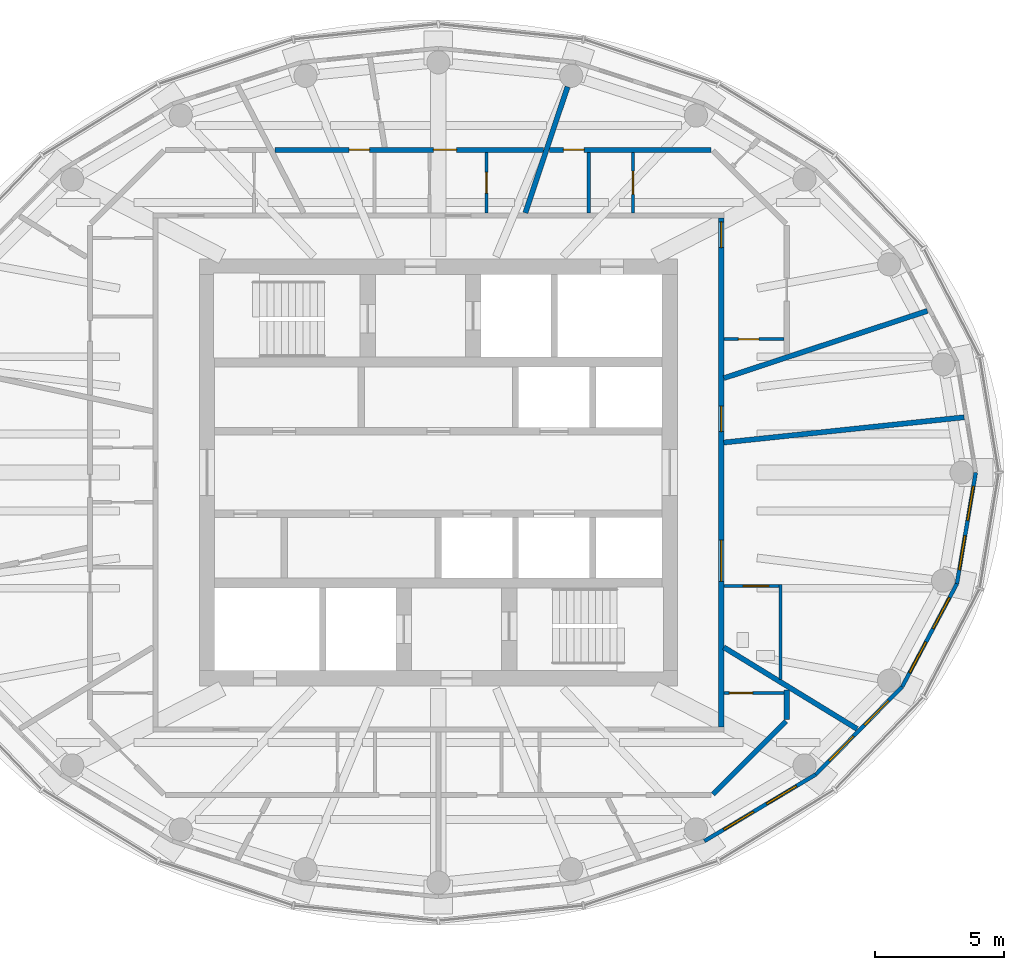
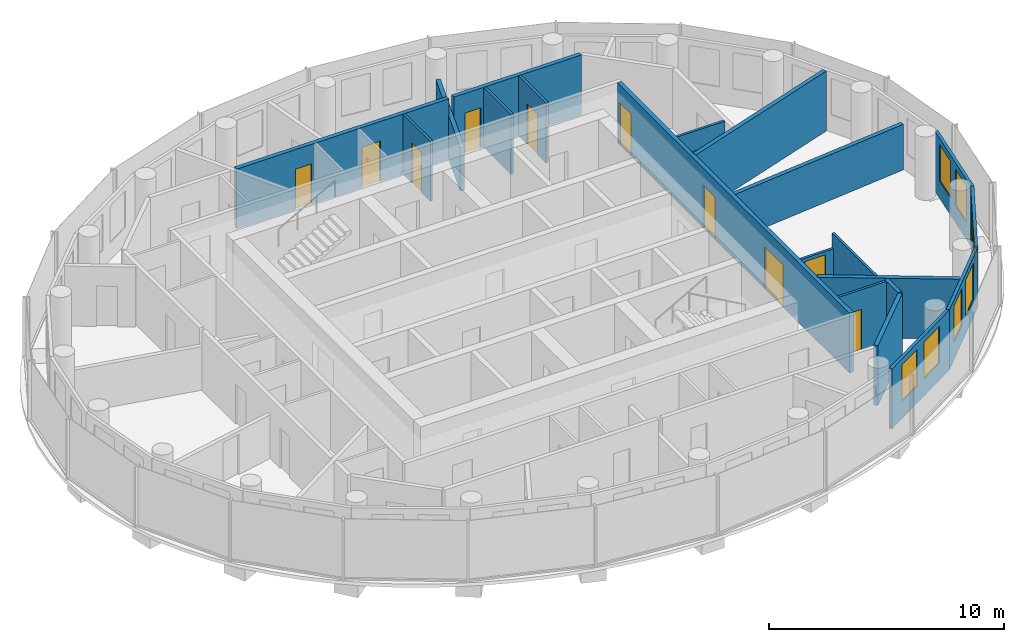
# One storey, part 8 of 11: 20 walls, 11 doors, 8 windows, 19 openings.
"""IFC4 building model written with IfcOpenShell, lengths in metres."""

from ifc_helpers import new_model, si_unit, direction, frame, frame_2d, origin, place, context, subcontext, project, spatial, rectangle, extrude, material, layer, layer_set, type_object, element, fill, save


model = new_model("IFC4")

# Units and contexts
model_context = context("Model", 3, precision=1e-05, world=origin(), true_north=direction((0.0, 1.0)))
body_context = subcontext(model_context, "Body", "Model", "MODEL_VIEW")
ifc_project = project(units=[si_unit("LENGTHUNIT", "METRE"), si_unit("AREAUNIT", "SQUARE_METRE"), si_unit("VOLUMEUNIT", "CUBIC_METRE"), si_unit("PLANEANGLEUNIT", "RADIAN"), si_unit("MASSUNIT", "GRAM", prefix="KILO")], contexts=[model_context])

# Site, building, storey
site_placement = place(None, origin())
site = spatial("IfcSite", under=ifc_project, at=site_placement, CompositionType="ELEMENT")
building_placement = place(site_placement, origin())
building = spatial("IfcBuilding", under=site, at=building_placement, Name="Hankou Lantern Tower", CompositionType="ELEMENT")
storey_placement = place(building_placement, frame((0.0, 0.0, 192.89990234375)))
storey = spatial("IfcBuildingStorey", under=building, at=storey_placement, Name="L51", CompositionType="ELEMENT", Elevation=192.89990234375)

# Wall, openings, windows
ifc_material_1 = material(Name="Aluminium spandrel panel on steel studs", Category="steel")
ifc_layer_1 = layer(ifc_material_1, 0.14990234375)
ifc_layer_set_1 = layer_set([ifc_layer_1], Name="Aluminium spandrel panel on steel studs")
wall_type_1 = type_object("IfcWallType", Name="EW1 INNER SKIN WALL 150", PredefinedType="ELEMENTEDWALL", material=ifc_layer_set_1)
wall_1_placement = place(storey_placement, frame((10.346435546875, -14.33642578125, 0.0), z_axis=(0.0, 0.0, 1.0), x_axis=(0.85822150553, 0.513279502265, 0.0)))
wall_1 = element("IfcWall", 1, at=wall_1_placement, inside=storey, type_object=wall_type_1, Name="Inner skin R21-R22 L51", PredefinedType="ELEMENTEDWALL", context=body_context, shape_type="SweptSolid", body=[
    extrude(rectangle(XDim=5.050048828125, YDim=0.14990234375, at=frame_2d((2.52490234375, 0.0))), origin(), (0.0, 0.0, 1.0), 3.1201171875),
])
opening_1_placement = place(wall_1_placement, frame((0.875, 0.0, 0.89990234375)))
opening_1 = element("IfcOpeningElement", 2, at=opening_1_placement, cuts=wall_1, Name="Opening W4", PredefinedType="OPENING", context=body_context, shape_type="SweptSolid", body=[
    extrude(rectangle(XDim=1.35009765625, YDim=1.89990234375, at=frame_2d((0.675048828125, 0.949951171875))), frame((0.0, 0.0849609375, 0.0), z_axis=(0.0, -1.0, 0.0), x_axis=(1.0, 0.0, 0.0)), (0.0, 0.0, 1.0), 0.169921875),
])
opening_2_placement = place(wall_1_placement, frame((2.824951171875, 0.0, 0.89990234375)))
opening_2 = element("IfcOpeningElement", 3, at=opening_2_placement, cuts=wall_1, Name="Opening W4", PredefinedType="OPENING", context=body_context, shape_type="SweptSolid", body=[
    extrude(rectangle(XDim=1.35009765625, YDim=1.89990234375, at=frame_2d((0.675048828125, 0.949951171875))), frame((0.0, 0.0849609375, 0.0), z_axis=(0.0, -1.0, 0.0), x_axis=(1.0, 0.0, 0.0)), (0.0, 0.0, 1.0), 0.169921875),
])
ifc_material_2 = material(Name="Aluminium framed double glazed window", Category="aluminium")
window_type = type_object("IfcWindowType", Name="W4 SUITE WINDOW 1350X1900", PartitioningType="DOUBLE_PANEL_VERTICAL", PredefinedType="WINDOW", material=ifc_material_2)
window_1_placement = place(opening_1_placement, origin())
window_1 = element("IfcWindow", 4, at=window_1_placement, inside=storey, type_object=window_type, Name="Window R21.1 L51", OverallHeight=1.89990234375, OverallWidth=1.35009765625, PartitioningType="SINGLE_PANEL", PredefinedType="WINDOW", context=body_context, shape_type="SweptSolid", body=[
    extrude(rectangle(XDim=1.35009765625, YDim=1.89990234375, at=frame_2d((0.675048828125, 0.949951171875))), frame((0.0, 0.030029296875, 0.0), z_axis=(0.0, -1.0, 0.0), x_axis=(1.0, 0.0, 0.0)), (0.0, 0.0, 1.0), 0.06005859375),
])
fill(opening_1, window_1)
window_2_placement = place(opening_2_placement, origin())
window_2 = element("IfcWindow", 5, at=window_2_placement, inside=storey, type_object=window_type, Name="Window R21.2 L51", OverallHeight=1.89990234375, OverallWidth=1.35009765625, PartitioningType="SINGLE_PANEL", PredefinedType="WINDOW", context=body_context, shape_type="SweptSolid", body=[
    extrude(rectangle(XDim=1.35009765625, YDim=1.89990234375, at=frame_2d((0.675048828125, 0.949951171875))), frame((0.0, 0.030029296875, 0.0), z_axis=(0.0, -1.0, 0.0), x_axis=(1.0, 0.0, 0.0)), (0.0, 0.0, 1.0), 0.06005859375),
])
fill(opening_2, window_2)

wall_2_placement = place(storey_placement, frame((14.680419921875, -11.744384765625, 0.0), z_axis=(0.0, 0.0, 1.0), x_axis=(0.701527379618, 0.712642501993, 0.0)))
wall_2 = element("IfcWall", 6, at=wall_2_placement, inside=storey, type_object=wall_type_1, Name="Inner skin R22-R23 L51", PredefinedType="ELEMENTEDWALL", context=body_context, shape_type="SweptSolid", body=[
    extrude(rectangle(XDim=4.788330078125, YDim=0.14990234375, at=frame_2d((2.39404296875, 0.0))), origin(), (0.0, 0.0, 1.0), 3.1201171875),
])
opening_3_placement = place(wall_2_placement, frame((0.744140625, 0.0, 0.89990234375)))
opening_3 = element("IfcOpeningElement", 7, at=opening_3_placement, cuts=wall_2, Name="Opening W4", PredefinedType="OPENING", context=body_context, shape_type="SweptSolid", body=[
    extrude(rectangle(XDim=1.35009765625, YDim=1.89990234375, at=frame_2d((0.675048828125, 0.949951171875))), frame((0.0, 0.0849609375, 0.0), z_axis=(0.0, -1.0, 0.0), x_axis=(1.0, 0.0, 0.0)), (0.0, 0.0, 1.0), 0.169921875),
])
opening_4_placement = place(wall_2_placement, frame((2.694091796875, 0.0, 0.89990234375)))
opening_4 = element("IfcOpeningElement", 8, at=opening_4_placement, cuts=wall_2, Name="Opening W4", PredefinedType="OPENING", context=body_context, shape_type="SweptSolid", body=[
    extrude(rectangle(XDim=1.35009765625, YDim=1.89990234375, at=frame_2d((0.675048828125, 0.949951171875))), frame((0.0, 0.0849609375, 0.0), z_axis=(0.0, -1.0, 0.0), x_axis=(1.0, 0.0, 0.0)), (0.0, 0.0, 1.0), 0.169921875),
])
window_3_placement = place(opening_3_placement, origin())
window_3 = element("IfcWindow", 9, at=window_3_placement, inside=storey, type_object=window_type, Name="Window R22.1 L51", OverallHeight=1.89990234375, OverallWidth=1.35009765625, PartitioningType="SINGLE_PANEL", PredefinedType="WINDOW", context=body_context, shape_type="SweptSolid", body=[
    extrude(rectangle(XDim=1.35009765625, YDim=1.89990234375, at=frame_2d((0.675048828125, 0.949951171875))), frame((0.0, 0.030029296875, 0.0), z_axis=(0.0, -1.0, 0.0), x_axis=(1.0, 0.0, 0.0)), (0.0, 0.0, 1.0), 0.06005859375),
])
fill(opening_3, window_3)
window_4_placement = place(opening_4_placement, origin())
window_4 = element("IfcWindow", 10, at=window_4_placement, inside=storey, type_object=window_type, Name="Window R22.2 L51", OverallHeight=1.89990234375, OverallWidth=1.35009765625, PartitioningType="SINGLE_PANEL", PredefinedType="WINDOW", context=body_context, shape_type="SweptSolid", body=[
    extrude(rectangle(XDim=1.35009765625, YDim=1.89990234375, at=frame_2d((0.675048828125, 0.949951171875))), frame((0.0, 0.030029296875, 0.0), z_axis=(0.0, -1.0, 0.0), x_axis=(1.0, 0.0, 0.0)), (0.0, 0.0, 1.0), 0.06005859375),
])
fill(opening_4, window_4)

wall_3_placement = place(storey_placement, frame((18.03955078125, -8.33203125, 0.0), z_axis=(0.0, 0.0, 1.0), x_axis=(0.469256152955, 0.883062094597, 0.0)))
wall_3 = element("IfcWall", 11, at=wall_3_placement, inside=storey, type_object=wall_type_1, Name="Inner skin R23-R24 L51", PredefinedType="ELEMENTEDWALL", context=body_context, shape_type="SweptSolid", body=[
    extrude(rectangle(XDim=4.539306640625, YDim=0.14990234375, at=frame_2d((2.26953125, 0.0))), origin(), (0.0, 0.0, 1.0), 3.1201171875),
])
opening_5_placement = place(wall_3_placement, frame((0.61962890625, 0.0, 0.89990234375)))
opening_5 = element("IfcOpeningElement", 12, at=opening_5_placement, cuts=wall_3, Name="Opening W4", PredefinedType="OPENING", context=body_context, shape_type="SweptSolid", body=[
    extrude(rectangle(XDim=1.35009765625, YDim=1.89990234375, at=frame_2d((0.675048828125, 0.949951171875))), frame((0.0, 0.0849609375, 0.0), z_axis=(0.0, -1.0, 0.0), x_axis=(1.0, 0.0, 0.0)), (0.0, 0.0, 1.0), 0.169921875),
])
opening_6_placement = place(wall_3_placement, frame((2.569580078125, 0.0, 0.89990234375)))
opening_6 = element("IfcOpeningElement", 13, at=opening_6_placement, cuts=wall_3, Name="Opening W4", PredefinedType="OPENING", context=body_context, shape_type="SweptSolid", body=[
    extrude(rectangle(XDim=1.35009765625, YDim=1.89990234375, at=frame_2d((0.675048828125, 0.949951171875))), frame((0.0, 0.0849609375, 0.0), z_axis=(0.0, -1.0, 0.0), x_axis=(1.0, 0.0, 0.0)), (0.0, 0.0, 1.0), 0.169921875),
])
window_5_placement = place(opening_5_placement, origin())
window_5 = element("IfcWindow", 14, at=window_5_placement, inside=storey, type_object=window_type, Name="Window R23.1 L51", OverallHeight=1.89990234375, OverallWidth=1.35009765625, PartitioningType="SINGLE_PANEL", PredefinedType="WINDOW", context=body_context, shape_type="SweptSolid", body=[
    extrude(rectangle(XDim=1.35009765625, YDim=1.89990234375, at=frame_2d((0.675048828125, 0.949951171875))), frame((0.0, 0.030029296875, 0.0), z_axis=(0.0, -1.0, 0.0), x_axis=(1.0, 0.0, 0.0)), (0.0, 0.0, 1.0), 0.06005859375),
])
fill(opening_5, window_5)
window_6_placement = place(opening_6_placement, origin())
window_6 = element("IfcWindow", 15, at=window_6_placement, inside=storey, type_object=window_type, Name="Window R23.2 L51", OverallHeight=1.89990234375, OverallWidth=1.35009765625, PartitioningType="SINGLE_PANEL", PredefinedType="WINDOW", context=body_context, shape_type="SweptSolid", body=[
    extrude(rectangle(XDim=1.35009765625, YDim=1.89990234375, at=frame_2d((0.675048828125, 0.949951171875))), frame((0.0, 0.030029296875, 0.0), z_axis=(0.0, -1.0, 0.0), x_axis=(1.0, 0.0, 0.0)), (0.0, 0.0, 1.0), 0.06005859375),
])
fill(opening_6, window_6)

wall_4_placement = place(storey_placement, frame((20.169677734375, -4.323486328125, 0.0), z_axis=(0.0, 0.0, 1.0), x_axis=(0.166538513568, 0.986034950445, 0.0)))
wall_4 = element("IfcWall", 16, at=wall_4_placement, inside=storey, type_object=wall_type_1, Name="Inner skin R24-R01 L51", PredefinedType="ELEMENTEDWALL", context=body_context, shape_type="SweptSolid", body=[
    extrude(rectangle(XDim=4.384765625, YDim=0.14990234375, at=frame_2d((2.1923828125, 0.0))), origin(), (0.0, 0.0, 1.0), 3.1201171875),
])
opening_7_placement = place(wall_4_placement, frame((0.54248046875, 0.0, 0.89990234375)))
opening_7 = element("IfcOpeningElement", 17, at=opening_7_placement, cuts=wall_4, Name="Opening W4", PredefinedType="OPENING", context=body_context, shape_type="SweptSolid", body=[
    extrude(rectangle(XDim=1.35009765625, YDim=1.89990234375, at=frame_2d((0.675048828125, 0.949951171875))), frame((0.0, 0.0849609375, 0.0), z_axis=(0.0, -1.0, 0.0), x_axis=(1.0, 0.0, 0.0)), (0.0, 0.0, 1.0), 0.169921875),
])
opening_8_placement = place(wall_4_placement, frame((2.492431640625, 0.0, 0.89990234375)))
opening_8 = element("IfcOpeningElement", 18, at=opening_8_placement, cuts=wall_4, Name="Opening W4", PredefinedType="OPENING", context=body_context, shape_type="SweptSolid", body=[
    extrude(rectangle(XDim=1.35009765625, YDim=1.89990234375, at=frame_2d((0.675048828125, 0.949951171875))), frame((0.0, 0.0849609375, 0.0), z_axis=(0.0, -1.0, 0.0), x_axis=(1.0, 0.0, 0.0)), (0.0, 0.0, 1.0), 0.169921875),
])
window_7_placement = place(opening_7_placement, origin())
window_7 = element("IfcWindow", 19, at=window_7_placement, inside=storey, type_object=window_type, Name="Window R24.1 L51", OverallHeight=1.89990234375, OverallWidth=1.35009765625, PartitioningType="SINGLE_PANEL", PredefinedType="WINDOW", context=body_context, shape_type="SweptSolid", body=[
    extrude(rectangle(XDim=1.35009765625, YDim=1.89990234375, at=frame_2d((0.675048828125, 0.949951171875))), frame((0.0, 0.030029296875, 0.0), z_axis=(0.0, -1.0, 0.0), x_axis=(1.0, 0.0, 0.0)), (0.0, 0.0, 1.0), 0.06005859375),
])
fill(opening_7, window_7)
window_8_placement = place(opening_8_placement, origin())
window_8 = element("IfcWindow", 20, at=window_8_placement, inside=storey, type_object=window_type, Name="Window R24.2 L51", OverallHeight=1.89990234375, OverallWidth=1.35009765625, PartitioningType="SINGLE_PANEL", PredefinedType="WINDOW", context=body_context, shape_type="SweptSolid", body=[
    extrude(rectangle(XDim=1.35009765625, YDim=1.89990234375, at=frame_2d((0.675048828125, 0.949951171875))), frame((0.0, 0.030029296875, 0.0), z_axis=(0.0, -1.0, 0.0), x_axis=(1.0, 0.0, 0.0)), (0.0, 0.0, 1.0), 0.06005859375),
])
fill(opening_8, window_8)

# Wall
ifc_material_3 = material(Name="Masonry lightweight concrete block", Category="masonry")
ifc_layer_2 = layer(ifc_material_3, 0.199951171875)
ifc_layer_set_2 = layer_set([ifc_layer_2], Name="Masonry lightweight concrete block")
wall_type_2 = type_object("IfcWallType", Name="IW1 GUEST ROOM PARTY WALL 200", PredefinedType="PARTITIONING", material=ifc_layer_set_2)
wall_5_placement = place(storey_placement, frame((3.3828125, 10.10009765625, 0.0), z_axis=(0.0, 0.0, 1.0), x_axis=(0.317602151035, 0.948224063003, 0.0)))
element("IfcWall", 21, at=wall_5_placement, inside=storey, type_object=wall_type_2, Name="Party wall R06", PredefinedType="PARTITIONING", context=body_context, shape_type="SweptSolid", body=[
    extrude(rectangle(XDim=5.16796875, YDim=0.199951171875, at=frame_2d((2.583984375, 0.0))), origin(), (0.0, 0.0, 1.0), 2.27001953125),
])

# Wall, openings, doors
ifc_material_4 = material(Name="Masonry lightweight concrete block", Category="masonry")
ifc_layer_3 = layer(ifc_material_4, 0.199951171875)
ifc_layer_set_3 = layer_set([ifc_layer_3], Name="Masonry lightweight concrete block")
wall_type_3 = type_object("IfcWallType", Name="IW2 CORRIDOR WALL 200", PredefinedType="PARTITIONING", material=ifc_layer_set_3)
wall_6_placement = place(storey_placement, frame((11.0, -9.89990234375, 0.0), z_axis=(0.0, 0.0, 1.0), x_axis=(0.0, 1.0, 0.0)))
wall_6 = element("IfcWall", 22, at=wall_6_placement, inside=storey, type_object=wall_type_3, Name="Corridor wall east", PredefinedType="PARTITIONING", context=body_context, shape_type="SweptSolid", body=[
    extrude(rectangle(XDim=19.7998046875, YDim=0.199951171875, at=frame_2d((9.89990234375, 0.0))), origin(), (0.0, 0.0, 1.0), 3.1201171875),
])
opening_9_placement = place(wall_6_placement, frame((11.486083984375, 0.0, 0.0)))
opening_9 = element("IfcOpeningElement", 23, at=opening_9_placement, cuts=wall_6, Name="Opening D28", PredefinedType="OPENING", context=body_context, shape_type="SweptSolid", body=[
    extrude(rectangle(XDim=1.0, YDim=2.199951171875, at=frame_2d((0.5, 1.10009765625))), frame((0.0, 0.10986328125, 0.0), z_axis=(0.0, -1.0, 0.0), x_axis=(1.0, 0.0, 0.0)), (0.0, 0.0, 1.0), 0.219970703125),
])
opening_10_placement = place(wall_6_placement, frame((18.645263671875, 0.0, 0.0)))
opening_10 = element("IfcOpeningElement", 24, at=opening_10_placement, cuts=wall_6, Name="Opening D2", PredefinedType="OPENING", context=body_context, shape_type="SweptSolid", body=[
    extrude(rectangle(XDim=1.0, YDim=2.199951171875, at=frame_2d((0.5, 1.10009765625))), frame((0.0, 0.10986328125, 0.0), z_axis=(0.0, -1.0, 0.0), x_axis=(1.0, 0.0, 0.0)), (0.0, 0.0, 1.0), 0.219970703125),
])
opening_11_placement = place(wall_6_placement, frame((5.667724609375, 0.0, 0.0)))
opening_11 = element("IfcOpeningElement", 25, at=opening_11_placement, cuts=wall_6, Name="Opening D34", PredefinedType="OPENING", context=body_context, shape_type="SweptSolid", body=[
    extrude(rectangle(XDim=1.60009765625, YDim=2.199951171875, at=frame_2d((0.800048828125, 1.10009765625))), frame((0.0, 0.10986328125, 0.0), z_axis=(0.0, -1.0, 0.0), x_axis=(1.0, 0.0, 0.0)), (0.0, 0.0, 1.0), 0.219970703125),
])
ifc_material_5 = material(Name="Steel door leaf", Category="steel")
door_type_1 = type_object("IfcDoorType", Name="D2 SUITE DOOR 1000X2200", OperationType="SINGLE_SWING_LEFT", PredefinedType="DOOR", material=ifc_material_5)
door_1_placement = place(opening_10_placement, origin())
door_1 = element("IfcDoor", 26, at=door_1_placement, inside=storey, type_object=door_type_1, Name="Suite door 5102", OperationType="SINGLE_SWING_RIGHT", OverallHeight=2.199951171875, OverallWidth=1.0, PredefinedType="DOOR", context=body_context, shape_type="SweptSolid", body=[
    extrude(rectangle(XDim=1.0, YDim=2.199951171875, at=frame_2d((0.5, 1.10009765625))), frame((0.0, 0.02490234375, 0.0), z_axis=(0.0, -1.0, 0.0), x_axis=(1.0, 0.0, 0.0)), (0.0, 0.0, 1.0), 0.050048828125),
])
fill(opening_10, door_1)
ifc_material_6 = material(Name="Steel door leaf", Category="steel")
door_type_2 = type_object("IfcDoorType", Name="D28 SERVICE DOOR 1000X2200", OperationType="SINGLE_SWING_LEFT", PredefinedType="DOOR", material=ifc_material_6)
door_2_placement = place(opening_9_placement, origin())
door_2 = element("IfcDoor", 27, at=door_2_placement, inside=storey, type_object=door_type_2, Name="Service door 5101", OperationType="SINGLE_SWING_RIGHT", OverallHeight=2.199951171875, OverallWidth=1.0, PredefinedType="DOOR", context=body_context, shape_type="SweptSolid", body=[
    extrude(rectangle(XDim=1.0, YDim=2.199951171875, at=frame_2d((0.5, 1.10009765625))), frame((0.0, 0.02490234375, 0.0), z_axis=(0.0, -1.0, 0.0), x_axis=(1.0, 0.0, 0.0)), (0.0, 0.0, 1.0), 0.050048828125),
])
fill(opening_9, door_2)
ifc_material_7 = material(Name="Steel door leaf", Category="steel")
door_type_3 = type_object("IfcDoorType", Name="D34 LOUNGE DOUBLE DOOR 1600X2200", OperationType="DOUBLE_DOOR_DOUBLE_SWING", PredefinedType="DOOR", material=ifc_material_7)
door_3_placement = place(opening_11_placement, origin())
door_3 = element("IfcDoor", 28, at=door_3_placement, inside=storey, type_object=door_type_3, Name="Lounge door 5108", OperationType="DOUBLE_DOOR_DOUBLE_SWING", OverallHeight=2.199951171875, OverallWidth=1.60009765625, PredefinedType="DOOR", context=body_context, shape_type="SweptSolid", body=[
    extrude(rectangle(XDim=1.60009765625, YDim=2.199951171875, at=frame_2d((0.800048828125, 1.10009765625))), frame((0.0, 0.02490234375, 0.0), z_axis=(0.0, -1.0, 0.0), x_axis=(1.0, 0.0, 0.0)), (0.0, 0.0, 1.0), 0.050048828125),
])
fill(opening_11, door_3)

# Wall, opening, door
ifc_material_8 = material(Name="Masonry lightweight concrete block", Category="masonry")
ifc_layer_4 = layer(ifc_material_8, 0.1201171875)
ifc_layer_set_4 = layer_set([ifc_layer_4], Name="Masonry lightweight concrete block")
wall_type_4 = type_object("IfcWallType", Name="IW3 BATHROOM WALL 120", PredefinedType="PARTITIONING", material=ifc_layer_set_4)
wall_7_placement = place(storey_placement, frame((11.10009765625, 5.185302734375, 0.0), z_axis=(0.0, 0.0, 1.0), x_axis=(1.0, 0.0, 0.0)))
wall_7 = element("IfcWall", 29, at=wall_7_placement, inside=storey, type_object=wall_type_4, Name="Box wall 5102 1", PredefinedType="PARTITIONING", context=body_context, shape_type="SweptSolid", body=[
    extrude(rectangle(XDim=2.349853515625, YDim=0.1201171875, at=frame_2d((1.1748046875, 0.0))), origin(), (0.0, 0.0, 1.0), 3.1201171875),
])
opening_12_placement = place(wall_7_placement, frame((0.570068359375, 0.0, 0.0)))
opening_12 = element("IfcOpeningElement", 30, at=opening_12_placement, cuts=wall_7, Name="Opening D3", PredefinedType="OPENING", context=body_context, shape_type="SweptSolid", body=[
    extrude(rectangle(XDim=0.800048828125, YDim=2.10009765625, at=frame_2d((0.39990234375, 1.050048828125))), frame((0.0, 0.070068359375, 0.0), z_axis=(0.0, -1.0, 0.0), x_axis=(1.0, 0.0, 0.0)), (0.0, 0.0, 1.0), 0.14013671875),
])
ifc_material_9 = material(Name="Timber door leaf", Category="wood")
door_type_4 = type_object("IfcDoorType", Name="D3 BATHROOM DOOR 800X2100", OperationType="SINGLE_SWING_LEFT", PredefinedType="DOOR", material=ifc_material_9)
door_4_placement = place(opening_12_placement, origin())
door_4 = element("IfcDoor", 31, at=door_4_placement, inside=storey, type_object=door_type_4, Name="Suite 5102 guest WC door", OperationType="SINGLE_SWING_LEFT", OverallHeight=2.10009765625, OverallWidth=0.800048828125, PredefinedType="DOOR", context=body_context, shape_type="SweptSolid", body=[
    extrude(rectangle(XDim=0.800048828125, YDim=2.10009765625, at=frame_2d((0.39990234375, 1.050048828125))), frame((0.0, 0.02490234375, 0.0), z_axis=(0.0, -1.0, 0.0), x_axis=(1.0, 0.0, 0.0)), (0.0, 0.0, 1.0), 0.050048828125),
])
fill(opening_12, door_4)

wall_8_placement = place(storey_placement, frame((7.5693359375, 10.10009765625, 0.0), z_axis=(0.0, 0.0, 1.0), x_axis=(0.0, 1.0, 0.0)))
wall_8 = element("IfcWall", 32, at=wall_8_placement, inside=storey, type_object=wall_type_4, Name="Box wall 5102 2", PredefinedType="PARTITIONING", context=body_context, shape_type="SweptSolid", body=[
    extrude(rectangle(XDim=2.349853515625, YDim=0.1201171875, at=frame_2d((1.1748046875, 0.0))), origin(), (0.0, 0.0, 1.0), 3.1201171875),
])
opening_13_placement = place(wall_8_placement, frame((0.719970703125, 0.0, 0.0)))
opening_13 = element("IfcOpeningElement", 33, at=opening_13_placement, cuts=wall_8, Name="Opening D27", PredefinedType="OPENING", context=body_context, shape_type="SweptSolid", body=[
    extrude(rectangle(XDim=0.89990234375, YDim=2.10009765625, at=frame_2d((0.449951171875, 1.050048828125))), frame((0.0, 0.070068359375, 0.0), z_axis=(0.0, -1.0, 0.0), x_axis=(1.0, 0.0, 0.0)), (0.0, 0.0, 1.0), 0.14013671875),
])
ifc_material_10 = material(Name="Timber door leaf", Category="wood")
door_type_5 = type_object("IfcDoorType", Name="D27 INTERNAL DOOR 900X2100", OperationType="SINGLE_SWING_LEFT", PredefinedType="DOOR", material=ifc_material_10)
door_5_placement = place(opening_13_placement, origin())
door_5 = element("IfcDoor", 34, at=door_5_placement, inside=storey, type_object=door_type_5, Name="Suite 5102 walk-in wardrobe door", OperationType="SINGLE_SWING_LEFT", OverallHeight=2.10009765625, OverallWidth=0.89990234375, PredefinedType="DOOR", context=body_context, shape_type="SweptSolid", body=[
    extrude(rectangle(XDim=0.89990234375, YDim=2.10009765625, at=frame_2d((0.449951171875, 1.050048828125))), frame((0.0, 0.02490234375, 0.0), z_axis=(0.0, -1.0, 0.0), x_axis=(1.0, 0.0, 0.0)), (0.0, 0.0, 1.0), 0.050048828125),
])
fill(opening_13, door_5)

# Wall
wall_9_placement = place(storey_placement, frame((5.849365234375, 10.10009765625, 0.0), z_axis=(0.0, 0.0, 1.0), x_axis=(0.0, 1.0, 0.0)))
element("IfcWall", 35, at=wall_9_placement, inside=storey, type_object=wall_type_4, Name="Box wall 5102 3", PredefinedType="PARTITIONING", context=body_context, shape_type="SweptSolid", body=[
    extrude(rectangle(XDim=2.349853515625, YDim=0.1201171875, at=frame_2d((1.1748046875, 0.0))), origin(), (0.0, 0.0, 1.0), 3.1201171875),
])

# Wall, opening, door
wall_10_placement = place(storey_placement, frame((1.86962890625, 10.10009765625, 0.0), z_axis=(0.0, 0.0, 1.0), x_axis=(0.0, 1.0, 0.0)))
wall_10 = element("IfcWall", 36, at=wall_10_placement, inside=storey, type_object=wall_type_4, Name="Box wall 5103 1", PredefinedType="PARTITIONING", context=body_context, shape_type="SweptSolid", body=[
    extrude(rectangle(XDim=2.349853515625, YDim=0.1201171875, at=frame_2d((1.1748046875, 0.0))), origin(), (0.0, 0.0, 1.0), 3.1201171875),
])
opening_14_placement = place(wall_10_placement, frame((0.77001953125, 0.0, 0.0)))
opening_14 = element("IfcOpeningElement", 37, at=opening_14_placement, cuts=wall_10, Name="Opening D3", PredefinedType="OPENING", context=body_context, shape_type="SweptSolid", body=[
    extrude(rectangle(XDim=0.800048828125, YDim=2.10009765625, at=frame_2d((0.39990234375, 1.050048828125))), frame((0.0, 0.070068359375, 0.0), z_axis=(0.0, -1.0, 0.0), x_axis=(1.0, 0.0, 0.0)), (0.0, 0.0, 1.0), 0.14013671875),
])
door_6_placement = place(opening_14_placement, origin())
door_6 = element("IfcDoor", 38, at=door_6_placement, inside=storey, type_object=door_type_4, Name="Suite 5103 guest WC door", OperationType="SINGLE_SWING_LEFT", OverallHeight=2.10009765625, OverallWidth=0.800048828125, PredefinedType="DOOR", context=body_context, shape_type="SweptSolid", body=[
    extrude(rectangle(XDim=0.800048828125, YDim=2.10009765625, at=frame_2d((0.39990234375, 1.050048828125))), frame((0.0, 0.02490234375, 0.0), z_axis=(0.0, -1.0, 0.0), x_axis=(1.0, 0.0, 0.0)), (0.0, 0.0, 1.0), 0.050048828125),
])
fill(opening_14, door_6)

wall_11_placement = place(storey_placement, frame((11.10009765625, -8.57568359375, 0.0), z_axis=(0.0, 0.0, 1.0), x_axis=(1.0, 0.0, 0.0)))
wall_11 = element("IfcWall", 39, at=wall_11_placement, inside=storey, type_object=wall_type_4, Name="Box wall 5107 3", PredefinedType="PARTITIONING", context=body_context, shape_type="SweptSolid", body=[
    extrude(rectangle(XDim=2.349853515625, YDim=0.1201171875, at=frame_2d((1.1748046875, 0.0))), origin(), (0.0, 0.0, 1.0), 3.1201171875),
])
opening_15_placement = place(wall_11_placement, frame((0.219970703125, 0.0, 0.0)))
opening_15 = element("IfcOpeningElement", 40, at=opening_15_placement, cuts=wall_11, Name="Opening D27", PredefinedType="OPENING", context=body_context, shape_type="SweptSolid", body=[
    extrude(rectangle(XDim=0.89990234375, YDim=2.10009765625, at=frame_2d((0.449951171875, 1.050048828125))), frame((0.0, 0.070068359375, 0.0), z_axis=(0.0, -1.0, 0.0), x_axis=(1.0, 0.0, 0.0)), (0.0, 0.0, 1.0), 0.14013671875),
])
door_7_placement = place(opening_15_placement, origin())
door_7 = element("IfcDoor", 41, at=door_7_placement, inside=storey, type_object=door_type_5, Name="Suite 5107 walk-in wardrobe door", OperationType="SINGLE_SWING_LEFT", OverallHeight=2.10009765625, OverallWidth=0.89990234375, PredefinedType="DOOR", context=body_context, shape_type="SweptSolid", body=[
    extrude(rectangle(XDim=0.89990234375, YDim=2.10009765625, at=frame_2d((0.449951171875, 1.050048828125))), frame((0.0, 0.02490234375, 0.0), z_axis=(0.0, -1.0, 0.0), x_axis=(1.0, 0.0, 0.0)), (0.0, 0.0, 1.0), 0.050048828125),
])
fill(opening_15, door_7)

# Wall
wall_12_placement = place(storey_placement, frame((13.300048828125, -8.04443359375, 0.0), z_axis=(0.0, 0.0, 1.0), x_axis=(0.0, 1.0, 0.0)))
element("IfcWall", 42, at=wall_12_placement, inside=storey, type_object=wall_type_4, Name="Box wall 5108 1", PredefinedType="PARTITIONING", context=body_context, shape_type="SweptSolid", body=[
    extrude(rectangle(XDim=3.687255859375, YDim=0.1201171875, at=frame_2d((1.84375, 0.0))), origin(), (0.0, 0.0, 1.0), 3.1201171875),
])

# Wall, opening, door
wall_13_placement = place(storey_placement, frame((11.10009765625, -4.417236328125, 0.0), z_axis=(0.0, 0.0, 1.0), x_axis=(1.0, 0.0, 0.0)))
wall_13 = element("IfcWall", 43, at=wall_13_placement, inside=storey, type_object=wall_type_4, Name="Box wall 5108 1", PredefinedType="PARTITIONING", context=body_context, shape_type="SweptSolid", body=[
    extrude(rectangle(XDim=2.139892578125, YDim=0.1201171875, at=frame_2d((1.06982421875, 0.0))), origin(), (0.0, 0.0, 1.0), 2.3701171875),
])
opening_16_placement = place(wall_13_placement, frame((0.75, 0.0, 0.0)))
opening_16 = element("IfcOpeningElement", 44, at=opening_16_placement, cuts=wall_13, Name="Opening D11", PredefinedType="OPENING", context=body_context, shape_type="SweptSolid", body=[
    extrude(rectangle(XDim=1.0, YDim=2.199951171875, at=frame_2d((0.5, 1.10009765625))), frame((0.0, 0.070068359375, 0.0), z_axis=(0.0, -1.0, 0.0), x_axis=(1.0, 0.0, 0.0)), (0.0, 0.0, 1.0), 0.14013671875),
])
ifc_material_11 = material(Name="Timber door leaf", Category="wood")
door_type_6 = type_object("IfcDoorType", Name="D11 ACCESSIBLE WC DOOR 1000X2200", OperationType="SLIDING_TO_LEFT", PredefinedType="DOOR", material=ifc_material_11)
door_8_placement = place(opening_16_placement, origin())
door_8 = element("IfcDoor", 45, at=door_8_placement, inside=storey, type_object=door_type_6, Name="Accessible WC 5108 door", OperationType="SLIDING_TO_LEFT", OverallHeight=2.199951171875, OverallWidth=1.0, PredefinedType="DOOR", context=body_context, shape_type="SweptSolid", body=[
    extrude(rectangle(XDim=1.0, YDim=2.199951171875, at=frame_2d((0.5, 1.10009765625))), frame((0.0, 0.02490234375, 0.0), z_axis=(0.0, -1.0, 0.0), x_axis=(1.0, 0.0, 0.0)), (0.0, 0.0, 1.0), 0.050048828125),
])
fill(opening_16, door_8)

ifc_material_12 = material(Name="Masonry lightweight concrete block", Category="masonry")
ifc_layer_5 = layer(ifc_material_12, 0.199951171875)
ifc_layer_set_5 = layer_set([ifc_layer_5], Name="Masonry lightweight concrete block")
wall_type_5 = type_object("IfcWallType", Name="IW6 SUITE PARTITION 200", PredefinedType="PARTITIONING", material=ifc_layer_set_5)
wall_14_placement = place(storey_placement, frame((10.608642578125, 12.550048828125, 0.0), z_axis=(0.0, 0.0, 1.0), x_axis=(-1.0, 0.0, 0.0)))
wall_14 = element("IfcWall", 46, at=wall_14_placement, inside=storey, type_object=wall_type_5, Name="Suite foyer wall 5102", PredefinedType="PARTITIONING", context=body_context, shape_type="SweptSolid", body=[
    extrude(rectangle(XDim=6.28369140625, YDim=0.199951171875, at=frame_2d((3.141845703125, 0.0))), origin(), (0.0, 0.0, 1.0), 3.1201171875),
])
opening_17_placement = place(wall_14_placement, frame((4.944091796875, 0.0, 0.0)))
opening_17 = element("IfcOpeningElement", 47, at=opening_17_placement, cuts=wall_14, Name="Opening D3", PredefinedType="OPENING", context=body_context, shape_type="SweptSolid", body=[
    extrude(rectangle(XDim=0.800048828125, YDim=2.10009765625, at=frame_2d((0.39990234375, 1.050048828125))), frame((0.0, 0.10986328125, 0.0), z_axis=(0.0, -1.0, 0.0), x_axis=(1.0, 0.0, 0.0)), (0.0, 0.0, 1.0), 0.219970703125),
])
door_9_placement = place(opening_17_placement, origin())
door_9 = element("IfcDoor", 48, at=door_9_placement, inside=storey, type_object=door_type_4, Name="Suite 5102 bathroom door", OperationType="SINGLE_SWING_LEFT", OverallHeight=2.10009765625, OverallWidth=0.800048828125, PredefinedType="DOOR", context=body_context, shape_type="SweptSolid", body=[
    extrude(rectangle(XDim=0.800048828125, YDim=2.10009765625, at=frame_2d((0.39990234375, 1.050048828125))), frame((0.0, 0.02490234375, 0.0), z_axis=(0.0, -1.0, 0.0), x_axis=(1.0, 0.0, 0.0)), (0.0, 0.0, 1.0), 0.050048828125),
])
fill(opening_17, door_9)

# Wall, openings, doors
wall_15_placement = place(storey_placement, frame((4.08203125, 12.550048828125, 0.0), z_axis=(0.0, 0.0, 1.0), x_axis=(-1.0, 0.0, 0.0)))
wall_15 = element("IfcWall", 49, at=wall_15_placement, inside=storey, type_object=wall_type_5, Name="Suite foyer wall 5103", PredefinedType="PARTITIONING", context=body_context, shape_type="SweptSolid", body=[
    extrude(rectangle(XDim=10.44580078125, YDim=0.199951171875, at=frame_2d((5.222900390625, 0.0))), origin(), (0.0, 0.0, 1.0), 3.1201171875),
])
opening_18_placement = place(wall_15_placement, frame((6.756591796875, 0.0, 0.0)))
opening_18 = element("IfcOpeningElement", 50, at=opening_18_placement, cuts=wall_15, Name="Opening D3", PredefinedType="OPENING", context=body_context, shape_type="SweptSolid", body=[
    extrude(rectangle(XDim=0.800048828125, YDim=2.10009765625, at=frame_2d((0.39990234375, 1.050048828125))), frame((0.0, 0.10986328125, 0.0), z_axis=(0.0, -1.0, 0.0), x_axis=(1.0, 0.0, 0.0)), (0.0, 0.0, 1.0), 0.219970703125),
])
opening_19_placement = place(wall_15_placement, frame((3.372314453125, 0.0, 0.0)))
opening_19 = element("IfcOpeningElement", 51, at=opening_19_placement, cuts=wall_15, Name="Opening D27", PredefinedType="OPENING", context=body_context, shape_type="SweptSolid", body=[
    extrude(rectangle(XDim=0.89990234375, YDim=2.10009765625, at=frame_2d((0.449951171875, 1.050048828125))), frame((0.0, 0.10986328125, 0.0), z_axis=(0.0, -1.0, 0.0), x_axis=(1.0, 0.0, 0.0)), (0.0, 0.0, 1.0), 0.219970703125),
])
door_10_placement = place(opening_19_placement, origin())
door_10 = element("IfcDoor", 52, at=door_10_placement, inside=storey, type_object=door_type_5, Name="Suite 5103 living room door", OperationType="SINGLE_SWING_RIGHT", OverallHeight=2.10009765625, OverallWidth=0.89990234375, PredefinedType="DOOR", context=body_context, shape_type="SweptSolid", body=[
    extrude(rectangle(XDim=0.89990234375, YDim=2.10009765625, at=frame_2d((0.449951171875, 1.050048828125))), frame((0.0, 0.02490234375, 0.0), z_axis=(0.0, -1.0, 0.0), x_axis=(1.0, 0.0, 0.0)), (0.0, 0.0, 1.0), 0.050048828125),
])
fill(opening_19, door_10)
door_11_placement = place(opening_18_placement, origin())
door_11 = element("IfcDoor", 53, at=door_11_placement, inside=storey, type_object=door_type_4, Name="Suite 5103 bathroom door", OperationType="SINGLE_SWING_LEFT", OverallHeight=2.10009765625, OverallWidth=0.800048828125, PredefinedType="DOOR", context=body_context, shape_type="SweptSolid", body=[
    extrude(rectangle(XDim=0.800048828125, YDim=2.10009765625, at=frame_2d((0.39990234375, 1.050048828125))), frame((0.0, 0.02490234375, 0.0), z_axis=(0.0, -1.0, 0.0), x_axis=(1.0, 0.0, 0.0)), (0.0, 0.0, 1.0), 0.050048828125),
])
fill(opening_18, door_11)

# Walls
wall_16_placement = place(storey_placement, frame((10.67919921875, -12.520751953125, 0.0), z_axis=(0.0, 0.0, 1.0), x_axis=(0.707106781187, 0.707106781187, 0.0)))
element("IfcWall", 54, at=wall_16_placement, inside=storey, type_object=wall_type_5, Name="Suite foyer wall 5107", PredefinedType="PARTITIONING", context=body_context, shape_type="SweptSolid", body=[
    extrude(rectangle(XDim=4.0185546875, YDim=0.199951171875, at=frame_2d((2.00927734375, 0.0))), origin(), (0.0, 0.0, 1.0), 3.1201171875),
])
wall_17_placement = place(storey_placement, frame((13.550048828125, -9.608642578125, 0.0), z_axis=(0.0, 0.0, 1.0), x_axis=(0.0, 1.0, 0.0)))
element("IfcWall", 55, at=wall_17_placement, inside=storey, type_object=wall_type_5, Name="Suite foyer wall 5107", PredefinedType="PARTITIONING", context=body_context, shape_type="SweptSolid", body=[
    extrude(rectangle(XDim=1.147705078125, YDim=0.199951171875, at=frame_2d((0.57373046875, 0.0))), origin(), (0.0, 0.0, 1.0), 3.1201171875),
])
ifc_material_13 = material(Name="Masonry lightweight concrete block", Category="masonry")
ifc_layer_6 = layer(ifc_material_13, 0.199951171875)
ifc_layer_set_6 = layer_set([ifc_layer_6], Name="Masonry lightweight concrete block")
wall_type_6 = type_object("IfcWallType", Name="IW8 PARTITION 200", PredefinedType="PARTITIONING", material=ifc_layer_set_6)
wall_18_placement = place(storey_placement, frame((11.10009765625, 1.166015625, 0.0), z_axis=(0.0, 0.0, 1.0), x_axis=(0.994527487125, 0.104475247564, 0.0)))
element("IfcWall", 56, at=wall_18_placement, inside=storey, type_object=wall_type_6, Name="Partition R01-R02", PredefinedType="PARTITIONING", context=body_context, shape_type="SweptSolid", body=[
    extrude(rectangle(XDim=9.401123046875, YDim=0.199951171875, at=frame_2d((4.70068359375, 0.0))), origin(), (0.0, 0.0, 1.0), 2.3701171875),
])
wall_19_placement = place(storey_placement, frame((11.10009765625, 3.668701171875, 0.0), z_axis=(0.0, 0.0, 1.0), x_axis=(0.949476668397, 0.313837627079, 0.0)))
element("IfcWall", 57, at=wall_19_placement, inside=storey, type_object=wall_type_6, Name="Partition R02-R03", PredefinedType="PARTITIONING", context=body_context, shape_type="SweptSolid", body=[
    extrude(rectangle(XDim=8.338623046875, YDim=0.199951171875, at=frame_2d((4.16943359375, 0.0))), origin(), (0.0, 0.0, 1.0), 3.1201171875),
])
wall_20_placement = place(storey_placement, frame((11.10009765625, -6.79736328125, 0.0), z_axis=(0.0, 0.0, 1.0), x_axis=(0.852799818179, -0.522237943963, 0.0)))
element("IfcWall", 58, at=wall_20_placement, inside=storey, type_object=wall_type_6, Name="Partition R22-R23", PredefinedType="PARTITIONING", context=body_context, shape_type="SweptSolid", body=[
    extrude(rectangle(XDim=6.076904296875, YDim=0.199951171875, at=frame_2d((3.03857421875, 0.0))), origin(), (0.0, 0.0, 1.0), 3.1201171875),
])

save(model, "model.ifc")
